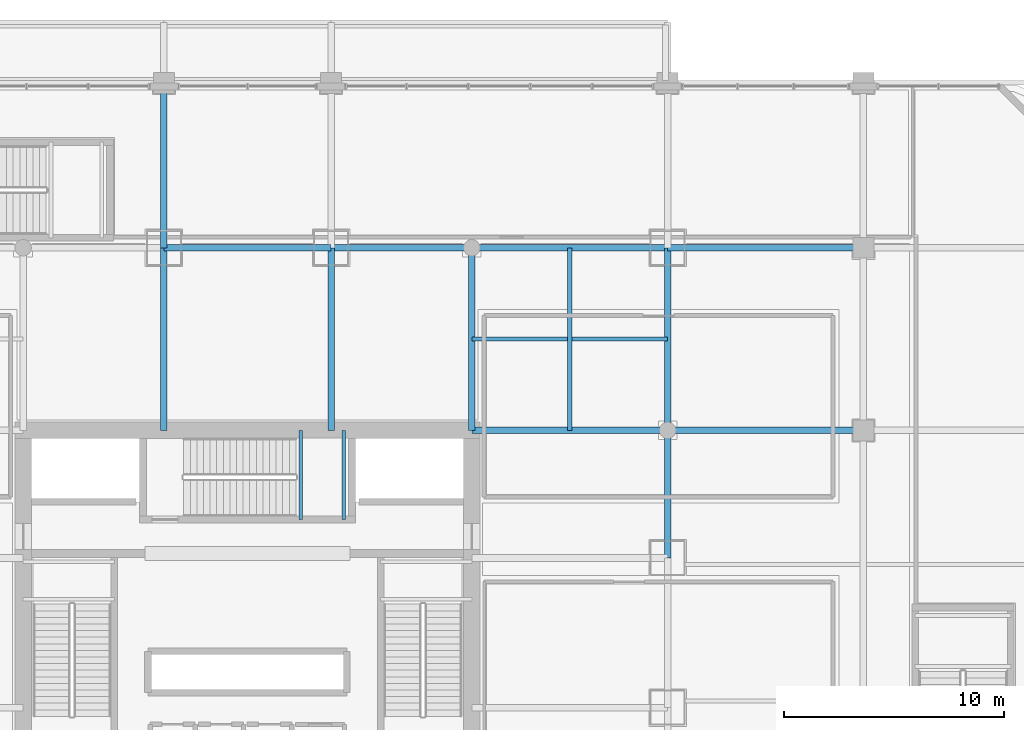
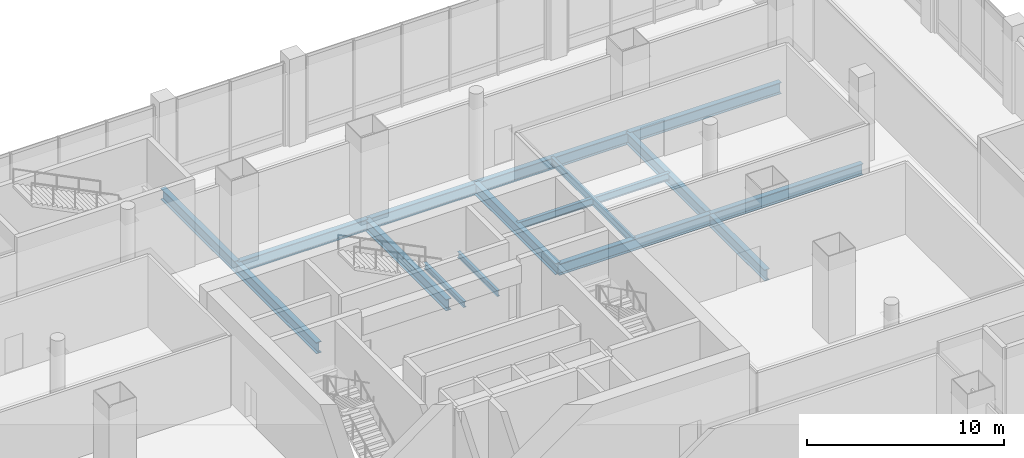
# One storey, part 17 of 43: 14 beams.
"""IFC4 building model written with IfcOpenShell, lengths in metres."""

from ifc_helpers import new_model, si_unit, direction, frame, origin, origin_2d, place, context, subcontext, project, spatial, i_section, extrude, material, material_profile, profile_set, type_object, element, save


model = new_model("IFC4")

# Units and contexts
model_context = context("Model", 3, precision=1e-05, world=origin(), true_north=direction((0.0, 1.0)))
body_context = subcontext(model_context, "Body", "Model", "MODEL_VIEW")
ifc_project = project(units=[si_unit("LENGTHUNIT", "METRE"), si_unit("AREAUNIT", "SQUARE_METRE"), si_unit("VOLUMEUNIT", "CUBIC_METRE"), si_unit("PLANEANGLEUNIT", "RADIAN"), si_unit("MASSUNIT", "GRAM", prefix="KILO")], contexts=[model_context])

# Site, building, storey
site_placement = place(None, origin())
site = spatial("IfcSite", under=ifc_project, at=site_placement, CompositionType="ELEMENT")
building_placement = place(site_placement, origin())
building = spatial("IfcBuilding", under=site, at=building_placement, Name="Punatoya Terracotta Tower", CompositionType="ELEMENT")
storey_placement = place(building_placement, frame((0.0, 0.0, 6.0)))
storey = spatial("IfcBuildingStorey", under=building, at=storey_placement, Name="L01", CompositionType="ELEMENT", Elevation=6.0)

# Beams
ifc_material = material(Name="Steel S355", Category="steel")
ifc_material_profile_1 = material_profile(ifc_material, i_section(OverallWidth=0.300048828125, OverallDepth=0.699951171875, WebThickness=0.01708984375, FlangeThickness=0.031982421875, FilletRadius=0.01806640625, at=origin_2d()))
ifc_profile_set_1 = profile_set([ifc_material_profile_1], Name="Steel S355")
beam_type_1 = type_object("IfcBeamType", Name="BM-PRI-700", PredefinedType="BEAM", material=ifc_profile_set_1)
beam_1_placement = place(storey_placement, frame((-3.800048828125, 17.5, -0.6298828125), z_axis=(1.0, 0.0, 0.0), x_axis=(0.0, 1.0, 0.0)))
element("IfcBeam", 1, at=beam_1_placement, inside=storey, type_object=beam_type_1, Name="BM-L01-RG-N2", PredefinedType="BEAM", context=body_context, shape_type="SweptSolid", body=[
    extrude(i_section(OverallWidth=0.300048828125, OverallDepth=0.699951171875, WebThickness=0.01708984375, FlangeThickness=0.031982421875, FilletRadius=0.01806640625, at=origin_2d()), origin(), (0.0, 0.0, 1.0), 7.60009765625),
])
beam_2_placement = place(storey_placement, frame((3.800048828125, 17.5, -0.6298828125), z_axis=(1.0, 0.0, 0.0), x_axis=(0.0, 1.0, 0.0)))
element("IfcBeam", 2, at=beam_2_placement, inside=storey, type_object=beam_type_1, Name="BM-L01-RG-N3", PredefinedType="BEAM", context=body_context, shape_type="SweptSolid", body=[
    extrude(i_section(OverallWidth=0.300048828125, OverallDepth=0.699951171875, WebThickness=0.01708984375, FlangeThickness=0.031982421875, FilletRadius=0.01806640625, at=origin_2d()), origin(), (0.0, 0.0, 1.0), 15.300048828125),
])
beam_3_placement = place(storey_placement, frame((19.10009765625, 3.39990234375, -0.6298828125), z_axis=(0.0, 1.0, 0.0), x_axis=(-1.0, 0.0, 0.0)))
element("IfcBeam", 3, at=beam_3_placement, inside=storey, type_object=beam_type_1, Name="BM-L01-RG-E3", PredefinedType="BEAM", context=body_context, shape_type="SweptSolid", body=[
    extrude(i_section(OverallWidth=0.300048828125, OverallDepth=0.699951171875, WebThickness=0.01708984375, FlangeThickness=0.031982421875, FilletRadius=0.01806640625, at=origin_2d()), origin(), (0.0, 0.0, 1.0), 14.10009765625),
])
beam_4_placement = place(storey_placement, frame((10.199951171875, 9.199951171875, -0.6298828125), z_axis=(1.0, 0.0, 0.0), x_axis=(0.0, 1.0, 0.0)))
element("IfcBeam", 4, at=beam_4_placement, inside=storey, type_object=beam_type_1, Name="BM-L01-PR-EN", PredefinedType="BEAM", context=body_context, shape_type="SweptSolid", body=[
    extrude(i_section(OverallWidth=0.300048828125, OverallDepth=0.699951171875, WebThickness=0.01708984375, FlangeThickness=0.031982421875, FilletRadius=0.01806640625, at=origin_2d()), origin(), (0.0, 0.0, 1.0), 8.900146484375),
])
for number, where, z_axis, x_axis, name in (
    (5, (-3.800048828125, 9.199951171875, -0.6298828125), (0.0, 1.0, 0.0), (-1.0, 0.0, 0.0), "BM-L01-PR-N2"),
    (6, (3.800048828125, 9.199951171875, -0.6298828125), (0.0, 1.0, 0.0), (-1.0, 0.0, 0.0), "BM-L01-PR-N3"),
    (7, (10.199951171875, 9.199951171875, -0.6298828125), (0.0, 1.0, 0.0), (-1.0, 0.0, 0.0), "BM-L01-PR-N4"),
):
    element("IfcBeam", number, at=place(storey_placement, frame(where, z_axis=z_axis, x_axis=x_axis)), inside=storey, type_object=beam_type_1, Name=name, PredefinedType="BEAM", context=body_context, shape_type="SweptSolid", body=[
        extrude(i_section(OverallWidth=0.300048828125, OverallDepth=0.699951171875, WebThickness=0.01708984375, FlangeThickness=0.031982421875, FilletRadius=0.01806640625, at=origin_2d()), origin(), (0.0, 0.0, 1.0), 8.300048828125),
    ])
for number, where, z_axis, x_axis, name in (
    (8, (19.10009765625, 9.199951171875, -0.6298828125), (1.0, 0.0, 0.0), (0.0, 1.0, 0.0), "BM-L01-FE1"),
    (9, (19.10009765625, 17.5, -0.6298828125), (1.0, 0.0, 0.0), (0.0, 1.0, 0.0), "BM-L01-GE1"),
):
    element("IfcBeam", number, at=place(storey_placement, frame(where, z_axis=z_axis, x_axis=x_axis)), inside=storey, type_object=beam_type_1, Name=name, PredefinedType="BEAM", context=body_context, shape_type="SweptSolid", body=[
        extrude(i_section(OverallWidth=0.300048828125, OverallDepth=0.699951171875, WebThickness=0.01708984375, FlangeThickness=0.031982421875, FilletRadius=0.01806640625, at=origin_2d()), origin(), (0.0, 0.0, 1.0), 8.89990234375),
    ])
beam_5_placement = place(storey_placement, frame((-3.800048828125, 17.5, -0.6298828125), z_axis=(0.0, 1.0, 0.0), x_axis=(-1.0, 0.0, 0.0)))
element("IfcBeam", 10, at=beam_5_placement, inside=storey, type_object=beam_type_1, Name="BM-L01-NS-3-N", PredefinedType="BEAM", context=body_context, shape_type="SweptSolid", body=[
    extrude(i_section(OverallWidth=0.300048828125, OverallDepth=0.699951171875, WebThickness=0.01708984375, FlangeThickness=0.031982421875, FilletRadius=0.01806640625, at=origin_2d()), origin(), (0.0, 0.0, 1.0), 7.5),
])
ifc_material_profile_2 = material_profile(ifc_material, i_section(OverallWidth=0.169921875, OverallDepth=0.360107421875, WebThickness=0.008056640625, FlangeThickness=0.0126953125, FilletRadius=0.01806640625, at=origin_2d()))
ifc_profile_set_2 = profile_set([ifc_material_profile_2], Name="Steel S355")
beam_type_2 = type_object("IfcBeamType", Name="BM-SEC-360", PredefinedType="JOIST", material=ifc_profile_set_2)
for number, where, z_axis, x_axis, name in (
    (11, (2.419921875, 5.14990234375, 2.320068359375), (0.0, 1.0, 0.0), (-1.0, 0.0, 0.0), "BM-L01-ST-3-LD1A"),
    (12, (4.3798828125, 5.14990234375, 2.320068359375), (0.0, 1.0, 0.0), (-1.0, 0.0, 0.0), "BM-L01-ST-3-LD1B"),
):
    element("IfcBeam", number, at=place(storey_placement, frame(where, z_axis=z_axis, x_axis=x_axis)), inside=storey, type_object=beam_type_2, Name=name, PredefinedType="JOIST", context=body_context, shape_type="SweptSolid", body=[
        extrude(i_section(OverallWidth=0.169921875, OverallDepth=0.360107421875, WebThickness=0.008056640625, FlangeThickness=0.0126953125, FilletRadius=0.01806640625, at=origin_2d()), origin(), (0.0, 0.0, 1.0), 4.050048828125),
    ])
ifc_material_profile_3 = material_profile(ifc_material, i_section(OverallWidth=0.18994140625, OverallDepth=0.449951171875, WebThickness=0.009521484375, FlangeThickness=0.0146484375, FilletRadius=0.01806640625, at=origin_2d()))
ifc_profile_set_3 = profile_set([ifc_material_profile_3], Name="Steel S355")
beam_type_3 = type_object("IfcBeamType", Name="BM-SEC-450", PredefinedType="JOIST", material=ifc_profile_set_3)
beam_6_placement = place(storey_placement, frame((10.199951171875, 13.35009765625, -0.5048828125), z_axis=(1.0, 0.0, 0.0), x_axis=(0.0, 1.0, 0.0)))
element("IfcBeam", 13, at=beam_6_placement, inside=storey, type_object=beam_type_3, Name="BM-L01-SJN-2", PredefinedType="JOIST", context=body_context, shape_type="SweptSolid", body=[
    extrude(i_section(OverallWidth=0.18994140625, OverallDepth=0.449951171875, WebThickness=0.009521484375, FlangeThickness=0.0146484375, FilletRadius=0.01806640625, at=origin_2d()), origin(), (0.0, 0.0, 1.0), 8.900146484375),
])
beam_7_placement = place(storey_placement, frame((14.64990234375, 9.199951171875, -0.5048828125), z_axis=(0.0, 1.0, 0.0), x_axis=(-1.0, 0.0, 0.0)))
element("IfcBeam", 14, at=beam_7_placement, inside=storey, type_object=beam_type_3, Name="BM-L01-SJE-2", PredefinedType="JOIST", context=body_context, shape_type="SweptSolid", body=[
    extrude(i_section(OverallWidth=0.18994140625, OverallDepth=0.449951171875, WebThickness=0.009521484375, FlangeThickness=0.0146484375, FilletRadius=0.01806640625, at=origin_2d()), origin(), (0.0, 0.0, 1.0), 8.300048828125),
])

save(model, "model.ifc")
